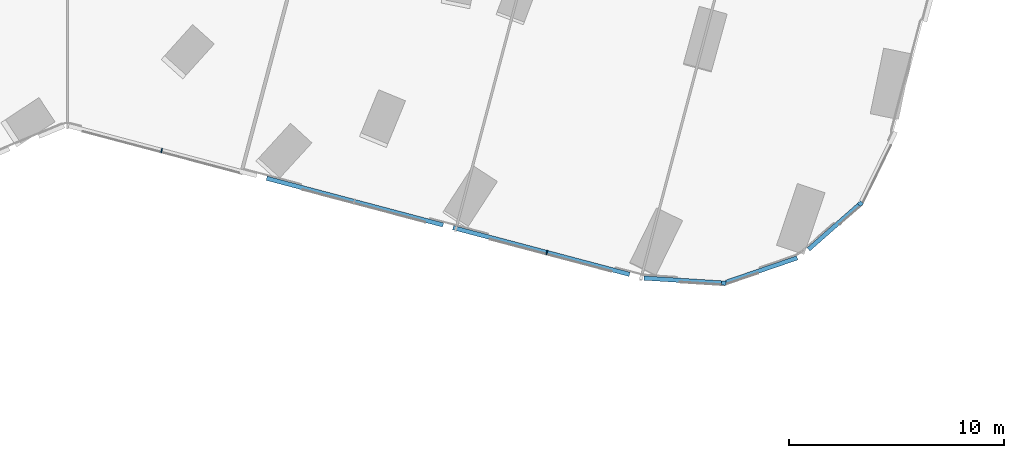
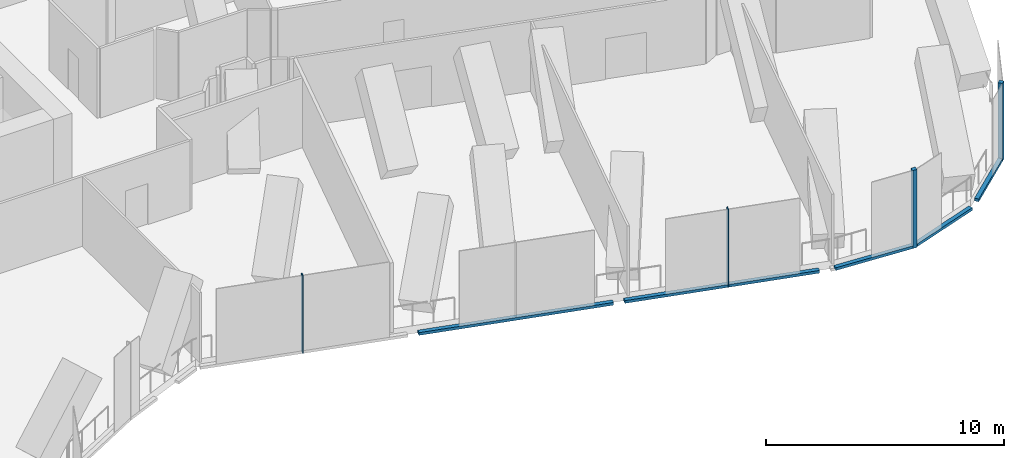
# One storey, part 9 of 37: 9 members, 4 elements without a shape of their own.
"""IFC4 building model written with IfcOpenShell, lengths in metres."""

from ifc_helpers import new_model, si_unit, direction, frame, origin, origin_2d, place, context, subcontext, project, spatial, rectangle, extrude, material, material_profile, profile_set, type_object, element, aggregate, save


model = new_model("IFC4")

# Units and contexts
model_context = context("Model", 3, precision=1e-05, world=origin(), true_north=direction((0.0, 1.0)))
body_context = subcontext(model_context, "Body", "Model", "MODEL_VIEW")
ifc_project = project(units=[si_unit("LENGTHUNIT", "METRE"), si_unit("AREAUNIT", "SQUARE_METRE"), si_unit("VOLUMEUNIT", "CUBIC_METRE"), si_unit("PLANEANGLEUNIT", "RADIAN"), si_unit("MASSUNIT", "GRAM", prefix="KILO")], contexts=[model_context])

# Site, building, storey
site_placement = place(None, origin())
site = spatial("IfcSite", under=ifc_project, at=site_placement, CompositionType="ELEMENT")
building_placement = place(site_placement, origin())
building = spatial("IfcBuilding", under=site, at=building_placement, Name="Orlundy Tower", CompositionType="ELEMENT")
storey_placement = place(building_placement, frame((0.0, 0.0, 119.699951171875)))
storey = spatial("IfcBuildingStorey", under=building, at=storey_placement, Name="L30", CompositionType="ELEMENT", Elevation=119.699951171875)

# Curtain wall, member
ifc_material_1 = material(Name="Aluminium bronze anodised", Category="aluminium")
curtain_wall_type = type_object("IfcCurtainWallType", Name="CW5 wall", PredefinedType="NOTDEFINED", material=ifc_material_1)
curtain_wall_1_placement = place(storey_placement, origin())
curtain_wall_1 = element("IfcCurtainWall", 1, at=curtain_wall_1_placement, inside=storey, type_object=curtain_wall_type, Name="CW5 run 024", PredefinedType="NOTDEFINED")
ifc_material_2 = material(Name="Aluminium bronze anodised", Category="aluminium")
ifc_material_profile_1 = material_profile(ifc_material_2, rectangle(XDim=0.199951171875, YDim=0.199951171875, at=origin_2d()), Name="CW5 corner post 200x200")
ifc_profile_set_1 = profile_set([ifc_material_profile_1], Name="Aluminium bronze anodised")
member_type_1 = type_object("IfcMemberType", Name="CW5 corner post 200x200", PredefinedType="MULLION", material=ifc_profile_set_1)
member_1_placement = place(storey_placement, frame((54.2470703125, -29.02978515625, -0.39990234375), z_axis=(0.0, 0.0, 1.0), x_axis=(0.661478866824, -0.749963804957, 0.0)))
member_1 = element("IfcMember", 2, at=member_1_placement, type_object=member_type_1, Name="CW5 mullion 39", PredefinedType="MULLION", context=body_context, shape_type="SweptSolid", body=[
    extrude(rectangle(XDim=0.199951171875, YDim=0.199951171875, at=origin_2d()), origin(), (0.0, 0.0, 1.0), 4.0),
])

curtain_wall_2_placement = place(storey_placement, origin())
curtain_wall_2 = element("IfcCurtainWall", 3, at=curtain_wall_2_placement, inside=storey, type_object=curtain_wall_type, Name="CW5 run 026", PredefinedType="NOTDEFINED")
member_2_placement = place(storey_placement, frame((47.8935546875, -32.72314453125, -0.39990234375), z_axis=(0.0, 0.0, 1.0), x_axis=(-0.06257980311, -0.998039963249, 0.0)))
member_2 = element("IfcMember", 4, at=member_2_placement, type_object=member_type_1, Name="CW5 mullion 41", PredefinedType="MULLION", context=body_context, shape_type="SweptSolid", body=[
    extrude(rectangle(XDim=0.199951171875, YDim=0.199951171875, at=origin_2d()), origin(), (0.0, 0.0, 1.0), 4.0),
])

# Curtain wall, members
curtain_wall_3_placement = place(storey_placement, origin())
curtain_wall_3 = element("IfcCurtainWall", 5, at=curtain_wall_3_placement, inside=storey, type_object=curtain_wall_type, Name="CW5 run 027", PredefinedType="NOTDEFINED")
ifc_material_3 = material(Name="Aluminium bronze anodised", Category="aluminium")
ifc_material_profile_2 = material_profile(ifc_material_3, rectangle(XDim=0.199951171875, YDim=0.050048828125, at=origin_2d()), Name="CW5 mullion 50x200")
ifc_profile_set_2 = profile_set([ifc_material_profile_2], Name="Aluminium bronze anodised")
member_type_2 = type_object("IfcMemberType", Name="CW5 mullion 50x200", PredefinedType="MULLION", material=ifc_profile_set_2)
member_3_placement = place(storey_placement, frame((39.677978515625, -31.30126953125, -0.39990234375), z_axis=(0.0, 0.0, 1.0), x_axis=(-0.256011270968, -0.966673796654, 0.0)))
member_3 = element("IfcMember", 6, at=member_3_placement, type_object=member_type_2, Name="CW5 mullion 43", PredefinedType="MULLION", context=body_context, shape_type="SweptSolid", body=[
    extrude(rectangle(XDim=0.199951171875, YDim=0.050048828125, at=origin_2d()), origin(), (0.0, 0.0, 1.0), 4.0),
])
member_4_placement = place(storey_placement, frame((21.772705078125, -26.55908203125, -0.39990234375), z_axis=(0.0, 0.0, 1.0), x_axis=(-0.256011270968, -0.966673796654, 0.0)))
member_4 = element("IfcMember", 7, at=member_4_placement, type_object=member_type_2, Name="CW5 mullion 47", PredefinedType="MULLION", context=body_context, shape_type="SweptSolid", body=[
    extrude(rectangle(XDim=0.199951171875, YDim=0.050048828125, at=origin_2d()), origin(), (0.0, 0.0, 1.0), 4.0),
])

# Member
ifc_material_4 = material(Name="Aluminium bronze anodised", Category="aluminium")
ifc_material_profile_3 = material_profile(ifc_material_4, rectangle(XDim=0.199951171875, YDim=0.139892578125, at=origin_2d()), Name="CW5 transom 200x140")
ifc_profile_set_3 = profile_set([ifc_material_profile_3], Name="Aluminium bronze anodised")
member_type_3 = type_object("IfcMemberType", Name="CW5 transom 200x140", PredefinedType="USERDEFINED", material=ifc_profile_set_3)
member_5_placement = place(storey_placement, frame((54.172119140625, -29.095947265625, -0.329833984375), z_axis=(-0.749984159876, -0.661455788345, 0.0), x_axis=(0.661455788345, -0.749984159876, 0.0)))
member_5 = element("IfcMember", 8, at=member_5_placement, type_object=member_type_3, Name="CW5 transom", ObjectType="TRANSOM", PredefinedType="USERDEFINED", context=body_context, shape_type="SweptSolid", body=[
    extrude(rectangle(XDim=0.199951171875, YDim=0.139892578125, at=origin_2d()), origin(), (0.0, 0.0, 1.0), 3.1162109375),
])

aggregate(curtain_wall_1, [member_1, member_5])

# Curtain wall, member
curtain_wall_4_placement = place(storey_placement, origin())
curtain_wall_4 = element("IfcCurtainWall", 9, at=curtain_wall_4_placement, inside=storey, type_object=curtain_wall_type, Name="CW5 run 025", PredefinedType="NOTDEFINED")
member_6_placement = place(storey_placement, frame((51.312255859375, -31.551025390625, -0.329833984375), z_axis=(-0.945946556392, -0.32432254385, 0.0), x_axis=(0.32432254385, -0.945946556392, 0.0)))
member_6 = element("IfcMember", 10, at=member_6_placement, type_object=member_type_3, Name="CW5 transom", ObjectType="TRANSOM", PredefinedType="USERDEFINED", context=body_context, shape_type="SweptSolid", body=[
    extrude(rectangle(XDim=0.199951171875, YDim=0.139892578125, at=origin_2d()), origin(), (0.0, 0.0, 1.0), 3.505615234375),
])
aggregate(curtain_wall_4, [member_6])

# Member
member_7_placement = place(storey_placement, frame((47.793701171875, -32.716796875, -0.329833984375), z_axis=(-0.998039141627, 0.062592905191, 0.0), x_axis=(-0.062592905191, -0.998039141627, 0.0)))
member_7 = element("IfcMember", 11, at=member_7_placement, type_object=member_type_3, Name="CW5 transom", ObjectType="TRANSOM", PredefinedType="USERDEFINED", context=body_context, shape_type="SweptSolid", body=[
    extrude(rectangle(XDim=0.199951171875, YDim=0.139892578125, at=origin_2d()), origin(), (0.0, 0.0, 1.0), 3.61181640625),
])

aggregate(curtain_wall_2, [member_2, member_7])

member_8_placement = place(storey_placement, frame((43.51904296875, -32.318359375, -0.329833984375), z_axis=(-0.966674016001, 0.256010442733, 0.0), x_axis=(-0.256010442733, -0.966674016001, 0.0)))
member_8 = element("IfcMember", 12, at=member_8_placement, type_object=member_type_3, Name="CW5 transom", ObjectType="TRANSOM", PredefinedType="USERDEFINED", context=body_context, shape_type="SweptSolid", body=[
    extrude(rectangle(XDim=0.199951171875, YDim=0.139892578125, at=origin_2d()), origin(), (0.0, 0.0, 1.0), 8.481689453125),
])

member_9_placement = place(storey_placement, frame((34.85205078125, -30.02294921875, -0.329833984375), z_axis=(-0.966678830815, 0.255992261707, 0.0), x_axis=(-0.255992261707, -0.966678830815, 0.0)))
member_9 = element("IfcMember", 13, at=member_9_placement, type_object=member_type_3, Name="CW5 transom", ObjectType="TRANSOM", PredefinedType="USERDEFINED", context=body_context, shape_type="SweptSolid", body=[
    extrude(rectangle(XDim=0.199951171875, YDim=0.139892578125, at=origin_2d()), origin(), (0.0, 0.0, 1.0), 8.480224609375),
])

aggregate(curtain_wall_3, [member_3, member_4, member_8, member_9])

save(model, "model.ifc")
